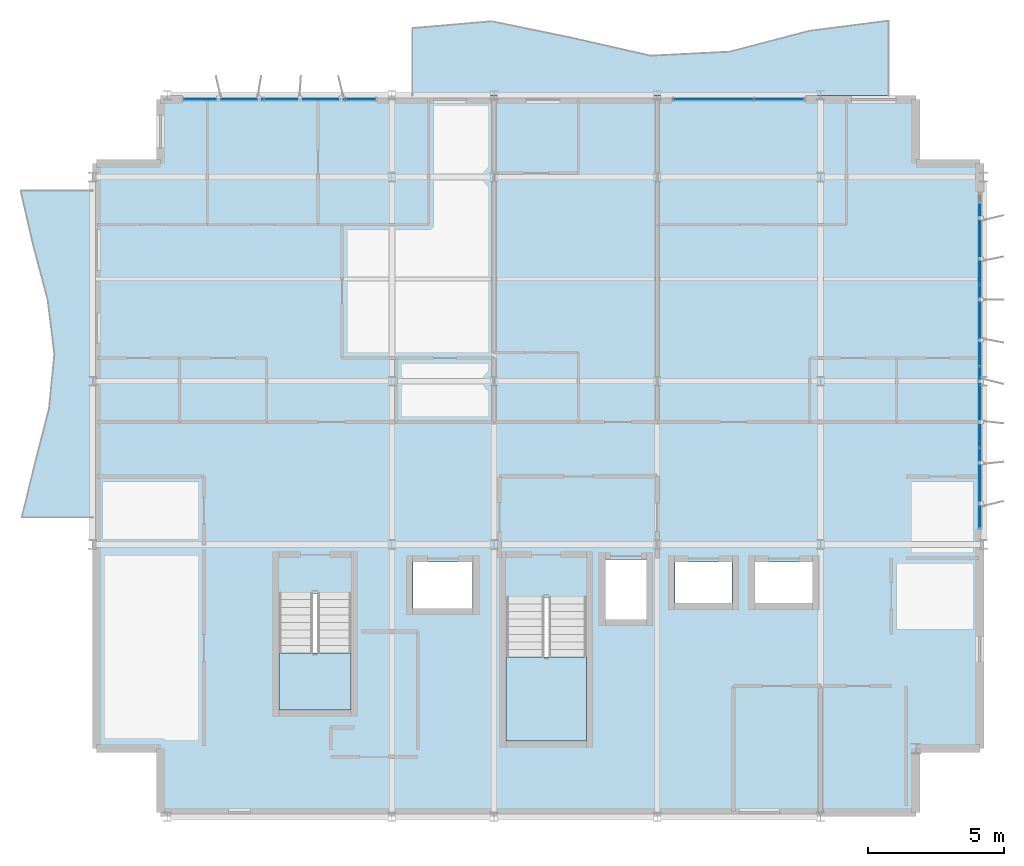
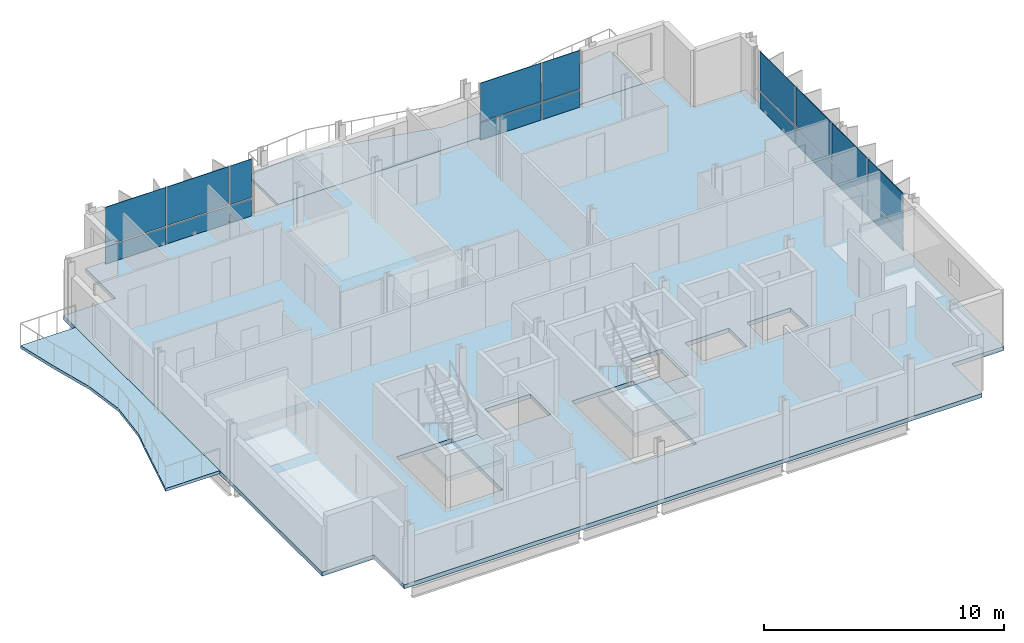
# One storey, part 6 of 13: 18 plates, 5 slabs, 5 elements without a shape of their own.
"""IFC4 building model written with IfcOpenShell, lengths in metres."""

from ifc_helpers import new_model, si_unit, direction, frame, origin, origin_2d, place, context, subcontext, project, spatial, polyline, rectangle, outline, extrude, material, layer, layer_set, type_object, element, aggregate, save


model = new_model("IFC4")

# Units and contexts
model_context = context("Model", 3, precision=1e-05, world=origin(), true_north=direction((0.0, 1.0)))
body_context = subcontext(model_context, "Body", "Model", "MODEL_VIEW")
ifc_project = project(units=[si_unit("LENGTHUNIT", "METRE"), si_unit("AREAUNIT", "SQUARE_METRE"), si_unit("VOLUMEUNIT", "CUBIC_METRE"), si_unit("PLANEANGLEUNIT", "RADIAN"), si_unit("MASSUNIT", "GRAM", prefix="KILO")], contexts=[model_context])

# Site, building, storey
site_placement = place(None, origin())
site = spatial("IfcSite", under=ifc_project, at=site_placement, CompositionType="ELEMENT")
building_placement = place(site_placement, origin())
building = spatial("IfcBuilding", under=site, at=building_placement, Name="Brevholm Reach", CompositionType="ELEMENT")
storey_placement = place(building_placement, frame((0.0, 0.0, 224.199951171875)))
storey = spatial("IfcBuildingStorey", under=building, at=storey_placement, Name="L68", CompositionType="ELEMENT", Elevation=224.199951171875)

# Curtain wall, plates
ifc_material_1 = material(Name="Dark Anodised Aluminium 6063-T6 and Solar-Control Glass", Category="aluminium")
ifc_layer_1 = layer(ifc_material_1, 0.14990234375)
ifc_layer_set_1 = layer_set([ifc_layer_1], Name="Dark Anodised Aluminium 6063-T6 and Solar-Control Glass")
curtain_wall_type = type_object("IfcCurtainWallType", Name="CW-01", PredefinedType="NOTDEFINED", material=ifc_layer_set_1)
curtain_wall_1_placement = place(storey_placement, origin())
curtain_wall_1 = element("IfcCurtainWall", 1, at=curtain_wall_1_placement, inside=storey, type_object=curtain_wall_type, Name="L68 Curtain Wall CW-01", PredefinedType="NOTDEFINED")
ifc_material_2 = material(Name="Dark Solar-Control Double-Glazed IGU Glass", Category="glass")
ifc_layer_2 = layer(ifc_material_2, 0.028076171875)
ifc_layer_set_2 = layer_set([ifc_layer_2], Name="Dark Solar-Control Double-Glazed IGU Glass")
plate_type = type_object("IfcPlateType", Name="CWP-GLZ-28", PredefinedType="CURTAIN_PANEL", material=ifc_layer_set_2)
plate_1_placement = place(storey_placement, frame((59.85009765625, 12.066162109375, 0.0), z_axis=(0.0, 0.0, 1.0), x_axis=(0.0, 1.0, 0.0)))
plate_1 = element("IfcPlate", 2, at=plate_1_placement, type_object=plate_type, Name="CP-01 Glazing Panel 1.1", PredefinedType="CURTAIN_PANEL", context=body_context, shape_type="SweptSolid", body=[
    extrude(rectangle(XDim=2.902587890625, YDim=0.028076171875, at=origin_2d()), origin(), (0.0, 0.0, 1.0), 0.867431640625),
])
plate_2_placement = place(storey_placement, frame((59.85009765625, 12.066162109375, 0.9326171875), z_axis=(0.0, 0.0, 1.0), x_axis=(0.0, 1.0, 0.0)))
plate_2 = element("IfcPlate", 3, at=plate_2_placement, type_object=plate_type, Name="CP-01 Glazing Panel 1.2", PredefinedType="CURTAIN_PANEL", context=body_context, shape_type="SweptSolid", body=[
    extrude(rectangle(XDim=2.902587890625, YDim=0.028076171875, at=origin_2d()), origin(), (0.0, 0.0, 1.0), 1.95751953125),
])
plate_3_placement = place(storey_placement, frame((59.85009765625, 15.050048828125, 0.0), z_axis=(0.0, 0.0, 1.0), x_axis=(0.0, 1.0, 0.0)))
plate_3 = element("IfcPlate", 4, at=plate_3_placement, type_object=plate_type, Name="CP-01 Glazing Panel 2.1", PredefinedType="CURTAIN_PANEL", context=body_context, shape_type="SweptSolid", body=[
    extrude(rectangle(XDim=2.93505859375, YDim=0.028076171875, at=origin_2d()), origin(), (0.0, 0.0, 1.0), 0.867431640625),
])
plate_4_placement = place(storey_placement, frame((59.85009765625, 15.050048828125, 0.9326171875), z_axis=(0.0, 0.0, 1.0), x_axis=(0.0, 1.0, 0.0)))
plate_4 = element("IfcPlate", 5, at=plate_4_placement, type_object=plate_type, Name="CP-01 Glazing Panel 2.2", PredefinedType="CURTAIN_PANEL", context=body_context, shape_type="SweptSolid", body=[
    extrude(rectangle(XDim=2.93505859375, YDim=0.028076171875, at=origin_2d()), origin(), (0.0, 0.0, 1.0), 1.95751953125),
])
plate_5_placement = place(storey_placement, frame((59.85009765625, 18.050048828125, 0.0), z_axis=(0.0, 0.0, 1.0), x_axis=(0.0, 1.0, 0.0)))
plate_5 = element("IfcPlate", 6, at=plate_5_placement, type_object=plate_type, Name="CP-01 Glazing Panel 3.1", PredefinedType="CURTAIN_PANEL", context=body_context, shape_type="SweptSolid", body=[
    extrude(rectangle(XDim=2.93505859375, YDim=0.028076171875, at=origin_2d()), origin(), (0.0, 0.0, 1.0), 0.867431640625),
])
plate_6_placement = place(storey_placement, frame((59.85009765625, 18.050048828125, 0.9326171875), z_axis=(0.0, 0.0, 1.0), x_axis=(0.0, 1.0, 0.0)))
plate_6 = element("IfcPlate", 7, at=plate_6_placement, type_object=plate_type, Name="CP-01 Glazing Panel 3.2", PredefinedType="CURTAIN_PANEL", context=body_context, shape_type="SweptSolid", body=[
    extrude(rectangle(XDim=2.93505859375, YDim=0.028076171875, at=origin_2d()), origin(), (0.0, 0.0, 1.0), 1.95751953125),
])
plate_7_placement = place(storey_placement, frame((59.85009765625, 21.050048828125, 0.0), z_axis=(0.0, 0.0, 1.0), x_axis=(0.0, 1.0, 0.0)))
plate_7 = element("IfcPlate", 8, at=plate_7_placement, type_object=plate_type, Name="CP-01 Glazing Panel 4.1", PredefinedType="CURTAIN_PANEL", context=body_context, shape_type="SweptSolid", body=[
    extrude(rectangle(XDim=2.93505859375, YDim=0.028076171875, at=origin_2d()), origin(), (0.0, 0.0, 1.0), 0.867431640625),
])
plate_8_placement = place(storey_placement, frame((59.85009765625, 21.050048828125, 0.9326171875), z_axis=(0.0, 0.0, 1.0), x_axis=(0.0, 1.0, 0.0)))
plate_8 = element("IfcPlate", 9, at=plate_8_placement, type_object=plate_type, Name="CP-01 Glazing Panel 4.2", PredefinedType="CURTAIN_PANEL", context=body_context, shape_type="SweptSolid", body=[
    extrude(rectangle(XDim=2.93505859375, YDim=0.028076171875, at=origin_2d()), origin(), (0.0, 0.0, 1.0), 1.95751953125),
])
aggregate(curtain_wall_1, [plate_1, plate_2, plate_3, plate_4, plate_5, plate_6, plate_7, plate_8])

curtain_wall_2_placement = place(storey_placement, origin())
curtain_wall_2 = element("IfcCurtainWall", 10, at=curtain_wall_2_placement, inside=storey, type_object=curtain_wall_type, Name="L68 Curtain Wall CW-01", PredefinedType="NOTDEFINED")
plate_9_placement = place(storey_placement, frame((32.066162109375, 26.35009765625, 0.0), z_axis=(0.0, 0.0, 1.0), x_axis=(1.0, 0.0, 0.0)))
plate_9 = element("IfcPlate", 11, at=plate_9_placement, type_object=plate_type, Name="CP-01 Glazing Panel 1.1", PredefinedType="CURTAIN_PANEL", context=body_context, shape_type="SweptSolid", body=[
    extrude(rectangle(XDim=2.902587890625, YDim=0.028076171875, at=origin_2d()), origin(), (0.0, 0.0, 1.0), 0.867431640625),
])
plate_10_placement = place(storey_placement, frame((32.066162109375, 26.35009765625, 0.9326171875), z_axis=(0.0, 0.0, 1.0), x_axis=(1.0, 0.0, 0.0)))
plate_10 = element("IfcPlate", 12, at=plate_10_placement, type_object=plate_type, Name="CP-01 Glazing Panel 1.2", PredefinedType="CURTAIN_PANEL", context=body_context, shape_type="SweptSolid", body=[
    extrude(rectangle(XDim=2.902587890625, YDim=0.028076171875, at=origin_2d()), origin(), (0.0, 0.0, 1.0), 1.95751953125),
])
plate_11_placement = place(storey_placement, frame((35.050048828125, 26.35009765625, 0.0), z_axis=(0.0, 0.0, 1.0), x_axis=(1.0, 0.0, 0.0)))
plate_11 = element("IfcPlate", 13, at=plate_11_placement, type_object=plate_type, Name="CP-01 Glazing Panel 2.1", PredefinedType="CURTAIN_PANEL", context=body_context, shape_type="SweptSolid", body=[
    extrude(rectangle(XDim=2.93505859375, YDim=0.028076171875, at=origin_2d()), origin(), (0.0, 0.0, 1.0), 0.867431640625),
])
plate_12_placement = place(storey_placement, frame((35.050048828125, 26.35009765625, 0.9326171875), z_axis=(0.0, 0.0, 1.0), x_axis=(1.0, 0.0, 0.0)))
plate_12 = element("IfcPlate", 14, at=plate_12_placement, type_object=plate_type, Name="CP-01 Glazing Panel 2.2", PredefinedType="CURTAIN_PANEL", context=body_context, shape_type="SweptSolid", body=[
    extrude(rectangle(XDim=2.93505859375, YDim=0.028076171875, at=origin_2d()), origin(), (0.0, 0.0, 1.0), 1.95751953125),
])
plate_13_placement = place(storey_placement, frame((37.108642578125, 26.35009765625, 0.0), z_axis=(0.0, 0.0, 1.0), x_axis=(1.0, 0.0, 0.0)))
plate_13 = element("IfcPlate", 15, at=plate_13_placement, type_object=plate_type, Name="CP-01 Glazing Panel 3.1", PredefinedType="CURTAIN_PANEL", context=body_context, shape_type="SweptSolid", body=[
    extrude(rectangle(XDim=1.052490234375, YDim=0.028076171875, at=origin_2d()), origin(), (0.0, 0.0, 1.0), 0.867431640625),
])
plate_14_placement = place(storey_placement, frame((37.108642578125, 26.35009765625, 0.9326171875), z_axis=(0.0, 0.0, 1.0), x_axis=(1.0, 0.0, 0.0)))
plate_14 = element("IfcPlate", 16, at=plate_14_placement, type_object=plate_type, Name="CP-01 Glazing Panel 3.2", PredefinedType="CURTAIN_PANEL", context=body_context, shape_type="SweptSolid", body=[
    extrude(rectangle(XDim=1.052490234375, YDim=0.028076171875, at=origin_2d()), origin(), (0.0, 0.0, 1.0), 1.95751953125),
])
aggregate(curtain_wall_2, [plate_9, plate_10, plate_11, plate_12, plate_13, plate_14])

curtain_wall_3_placement = place(storey_placement, origin())
curtain_wall_3 = element("IfcCurtainWall", 17, at=curtain_wall_3_placement, inside=storey, type_object=curtain_wall_type, Name="L68 Curtain Wall CW-01", PredefinedType="NOTDEFINED")
plate_15_placement = place(storey_placement, frame((50.066162109375, 26.35009765625, 0.0), z_axis=(0.0, 0.0, 1.0), x_axis=(1.0, 0.0, 0.0)))
plate_15 = element("IfcPlate", 18, at=plate_15_placement, type_object=plate_type, Name="CP-01 Glazing Panel 1.1", PredefinedType="CURTAIN_PANEL", context=body_context, shape_type="SweptSolid", body=[
    extrude(rectangle(XDim=2.902587890625, YDim=0.028076171875, at=origin_2d()), origin(), (0.0, 0.0, 1.0), 0.867431640625),
])
plate_16_placement = place(storey_placement, frame((50.066162109375, 26.35009765625, 0.9326171875), z_axis=(0.0, 0.0, 1.0), x_axis=(1.0, 0.0, 0.0)))
plate_16 = element("IfcPlate", 19, at=plate_16_placement, type_object=plate_type, Name="CP-01 Glazing Panel 1.2", PredefinedType="CURTAIN_PANEL", context=body_context, shape_type="SweptSolid", body=[
    extrude(rectangle(XDim=2.902587890625, YDim=0.028076171875, at=origin_2d()), origin(), (0.0, 0.0, 1.0), 1.95751953125),
])
plate_17_placement = place(storey_placement, frame((52.483642578125, 26.35009765625, 0.0), z_axis=(0.0, 0.0, 1.0), x_axis=(1.0, 0.0, 0.0)))
plate_17 = element("IfcPlate", 20, at=plate_17_placement, type_object=plate_type, Name="CP-01 Glazing Panel 2.1", PredefinedType="CURTAIN_PANEL", context=body_context, shape_type="SweptSolid", body=[
    extrude(rectangle(XDim=1.802490234375, YDim=0.028076171875, at=origin_2d()), origin(), (0.0, 0.0, 1.0), 0.867431640625),
])
plate_18_placement = place(storey_placement, frame((52.483642578125, 26.35009765625, 0.9326171875), z_axis=(0.0, 0.0, 1.0), x_axis=(1.0, 0.0, 0.0)))
plate_18 = element("IfcPlate", 21, at=plate_18_placement, type_object=plate_type, Name="CP-01 Glazing Panel 2.2", PredefinedType="CURTAIN_PANEL", context=body_context, shape_type="SweptSolid", body=[
    extrude(rectangle(XDim=1.802490234375, YDim=0.028076171875, at=origin_2d()), origin(), (0.0, 0.0, 1.0), 1.95751953125),
])
aggregate(curtain_wall_3, [plate_15, plate_16, plate_17, plate_18])

# Slabs
ifc_material_3 = material(Name="Precast Concrete C45/55", Category="concrete")
ifc_layer_3 = layer(ifc_material_3, 0.14990234375)
ifc_layer_set_3 = layer_set([ifc_layer_3], Name="Precast Concrete C45/55")
slab_type_1 = type_object("IfcSlabType", Name="SLB-BAL-150", PredefinedType="FLOOR", material=ifc_layer_set_3)
slab_1_placement = place(storey_placement, frame((0.0, 0.0, -0.14990234375)))
element("IfcSlab", 22, at=slab_1_placement, inside=storey, type_object=slab_type_1, Name="L68 Rippling External Balcony NE", PredefinedType="FLOOR", context=body_context, shape_type="SweptSolid", body=[
    extrude(outline(polyline([(39.0, 26.5), (56.5, 26.5), (56.5, 29.246337890625), (53.583251953125, 28.870849609375), (50.666748046875, 28.106201171875), (47.75, 27.95849609375), (44.833251953125, 28.6220703125), (41.916748046875, 29.223876953125), (39.0, 28.9716796875), (39.0, 26.5)])), origin(), (0.0, 0.0, 1.0), 0.14990234375),
])
slab_2_placement = place(storey_placement, frame((0.0, 0.0, -0.14990234375)))
element("IfcSlab", 23, at=slab_2_placement, inside=storey, type_object=slab_type_1, Name="L68 Rippling External Balcony SLOT", PredefinedType="FLOOR", context=body_context, shape_type="SweptSolid", body=[
    extrude(outline(polyline([(27.25, 11.0), (27.25, 23.0), (24.60888671875, 23.0), (25.0693359375, 21.0), (25.599853515625, 19.0), (25.84912109375, 17.0), (25.65234375, 15.0), (25.1396484375, 13.0), (24.650390625, 11.0), (27.25, 11.0)])), origin(), (0.0, 0.0, 1.0), 0.14990234375),
])
ifc_material_4 = material(Name="Concrete C40/50", Category="concrete")
ifc_layer_4 = layer(ifc_material_4, 0.2099609375)
ifc_layer_set_4 = layer_set([ifc_layer_4], Name="Concrete C40/50")
slab_type_2 = type_object("IfcSlabType", Name="SLB-FL-210", PredefinedType="FLOOR", material=ifc_layer_set_4)
slab_3_placement = place(storey_placement, frame((0.0, 0.0, -0.2099609375)))
element("IfcSlab", 24, at=slab_3_placement, inside=storey, type_object=slab_type_2, Name="L68 Suspended Floor Slab (east-tower)", PredefinedType="FLOOR", context=body_context, shape_type="SweptSolid", body=[
    extrude(outline(polyline([(29.75, 0.0), (57.5, 0.0), (57.5, 2.5), (60.0, 2.5), (60.0, 24.0), (57.5, 24.0), (57.5, 26.5), (29.75, 26.5), (29.75, 24.0), (27.25, 24.0), (27.25, 2.5), (29.75, 2.5), (29.75, 0.0)]), holes=[polyline([(42.449951171875, 2.780029296875), (45.39990234375, 2.780029296875), (45.39990234375, 8.044921875), (42.449951171875, 8.044921875), (42.449951171875, 2.780029296875)]), polyline([(34.10009765625, 3.919921875), (36.75, 3.919921875), (36.75, 8.195068359375), (34.10009765625, 8.195068359375), (34.10009765625, 3.919921875)]), polyline([(46.10009765625, 7.25), (47.60009765625, 7.25), (47.60009765625, 9.449951171875), (46.10009765625, 9.449951171875), (46.10009765625, 7.25)]), polyline([(39.02001953125, 7.64990234375), (41.219970703125, 7.64990234375), (41.219970703125, 9.35009765625), (39.02001953125, 9.35009765625), (39.02001953125, 7.64990234375)]), polyline([(48.64990234375, 7.85009765625), (50.75, 7.85009765625), (50.75, 9.35009765625), (48.64990234375, 9.35009765625), (48.64990234375, 7.85009765625)]), polyline([(51.60009765625, 7.85009765625), (53.699951171875, 7.85009765625), (53.699951171875, 9.35009765625), (51.60009765625, 9.35009765625), (51.60009765625, 7.85009765625)])]), origin(), (0.0, 0.0, 1.0), 0.2099609375),
])

# Stair, slab
ifc_material_5 = material(Name="Precast Concrete C40/50", Category="concrete")
stair_type_1 = type_object("IfcStairType", Name="STR-ESC-1400", PredefinedType="DOUBLE_RETURN_STAIR", material=ifc_material_5)
stair_1_placement = place(storey_placement, origin())
stair_1 = element("IfcStair", 25, at=stair_1_placement, inside=storey, type_object=stair_type_1, Name="L68 ST-2", PredefinedType="DOUBLE_RETURN_STAIR")
ifc_material_6 = material(Name="Concrete C40/50", Category="concrete")
ifc_layer_5 = layer(ifc_material_6, 0.199951171875)
ifc_layer_set_5 = layer_set([ifc_layer_5], Name="Concrete C40/50")
slab_type_3 = type_object("IfcSlabType", Name="SLB-LND-200", PredefinedType="LANDING", material=ifc_layer_set_5)
slab_4_placement = place(storey_placement, frame((0.0, 0.0, 1.35009765625)))
slab_4 = element("IfcSlab", 26, at=slab_4_placement, type_object=slab_type_3, Name="ST-2 landing 1", PredefinedType="LANDING", context=body_context, shape_type="SweptSolid", body=[
    extrude(outline(polyline([(42.449951171875, 5.860107421875), (42.449951171875, 2.780029296875), (45.39990234375, 2.780029296875), (45.39990234375, 5.860107421875), (42.449951171875, 5.860107421875)])), origin(), (0.0, 0.0, 1.0), 0.199951171875),
])
aggregate(stair_1, [slab_4])

ifc_material_7 = material(Name="Precast Concrete C40/50", Category="concrete")
stair_type_2 = type_object("IfcStairType", Name="STR-ESC-1250", PredefinedType="DOUBLE_RETURN_STAIR", material=ifc_material_7)
stair_2_placement = place(storey_placement, origin())
stair_2 = element("IfcStair", 27, at=stair_2_placement, inside=storey, type_object=stair_type_2, Name="L68 ST-3", PredefinedType="DOUBLE_RETURN_STAIR")
slab_5_placement = place(storey_placement, frame((0.0, 0.0, 1.35009765625)))
slab_5 = element("IfcSlab", 28, at=slab_5_placement, type_object=slab_type_3, Name="ST-3 landing 1", PredefinedType="LANDING", context=body_context, shape_type="SweptSolid", body=[
    extrude(outline(polyline([(34.10009765625, 6.010009765625), (34.10009765625, 3.919921875), (36.75, 3.919921875), (36.75, 6.010009765625), (34.10009765625, 6.010009765625)])), origin(), (0.0, 0.0, 1.0), 0.199951171875),
])
aggregate(stair_2, [slab_5])

save(model, "model.ifc")
